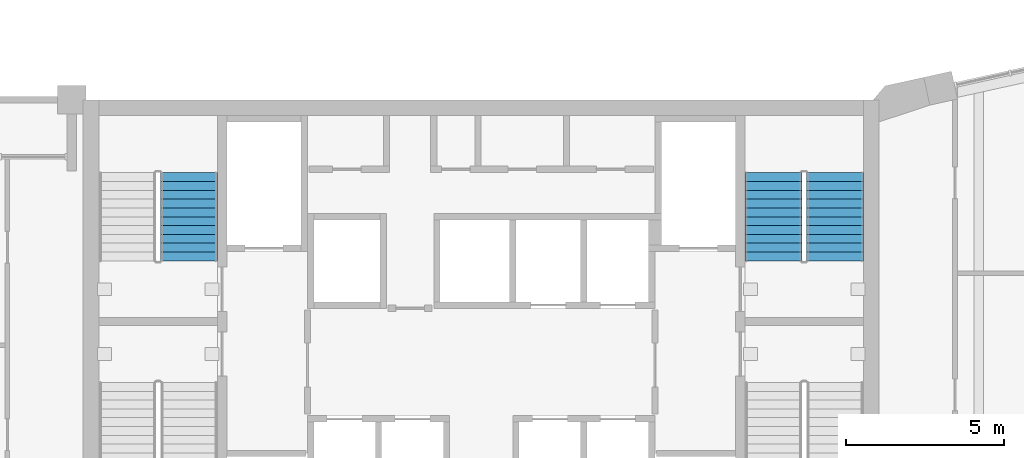
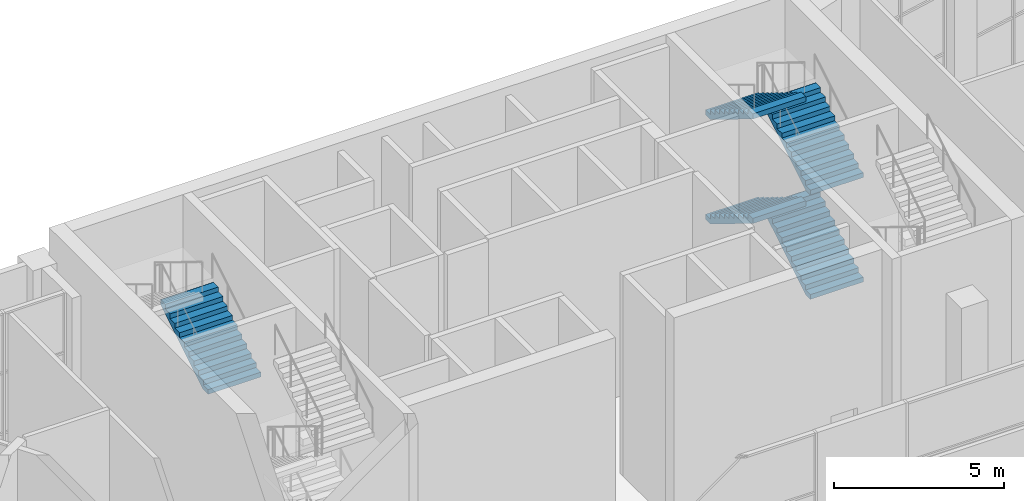
# One storey, part 12 of 14: 5 stair flights, 2 elements without a shape of their own.
"""IFC4 building model written with IfcOpenShell, lengths in metres."""

from ifc_helpers import new_model, si_unit, direction, frame, origin, place, context, subcontext, project, spatial, faceted_brep, source, transform, mapped, material, type_object, element, aggregate, save


model = new_model("IFC4")

# Units and contexts
model_context = context("Model", 3, precision=1e-05, world=origin(), true_north=direction((0.0, 1.0)))
body_context = subcontext(model_context, "Body", "Model", "MODEL_VIEW")
ifc_project = project(units=[si_unit("LENGTHUNIT", "METRE"), si_unit("AREAUNIT", "SQUARE_METRE"), si_unit("VOLUMEUNIT", "CUBIC_METRE"), si_unit("PLANEANGLEUNIT", "RADIAN"), si_unit("MASSUNIT", "GRAM", prefix="KILO")], contexts=[model_context])

# Site, building, storey
site_placement = place(None, origin())
site = spatial("IfcSite", under=ifc_project, at=site_placement, CompositionType="ELEMENT")
building_placement = place(site_placement, origin())
building = spatial("IfcBuilding", under=site, at=building_placement, Name="Calabash Gate Tower", CompositionType="ELEMENT")
storey_placement = place(building_placement, frame((0.0, 0.0, 295.0)))
storey = spatial("IfcBuildingStorey", under=building, at=storey_placement, Name="L71", CompositionType="ELEMENT", Elevation=295.0)

# Stair, stair flight
ifc_material_1 = material(Name="Concrete C40/50", Category="concrete")
stair_type = type_object("IfcStairType", Name="Exit stair 44 risers of 170.5 mm", PredefinedType="HALF_TURN_STAIR", material=ifc_material_1)
stair_1_placement = place(storey_placement, origin())
stair_1 = element("IfcStair", 1, at=stair_1_placement, inside=storey, type_object=stair_type, Name="L71 Exit stair ST1", PredefinedType="HALF_TURN_STAIR")
ifc_material_2 = material(Name="Concrete C40/50", Category="concrete")
stair_flight_type = type_object("IfcStairFlightType", Name="Exit stair flight SFL", PredefinedType="STRAIGHT", material=ifc_material_2)
shared_shape = source(origin(), body_context, "Body", "Brep", [
    faceted_brep([(-0.0009765625, -0.89990234375, 0.0), (0.28759765625, -0.89990234375, 0.0), (2.791015625, -0.89990234375, 1.52880859375), (-0.0009765625, 0.89990234375, 0.0), (2.791015625, 0.89990234375, 1.52880859375), (0.28759765625, 0.89990234375, 0.0), (2.791015625, -0.89990234375, 1.716552734375), (2.7900390625, -0.89990234375, 1.716552734375), (2.7900390625, 0.89990234375, 1.716552734375), (2.791015625, 0.89990234375, 1.716552734375), (2.7900390625, -0.89990234375, 1.70458984375), (2.7900390625, 0.89990234375, 1.70458984375), (2.510986328125, -0.89990234375, 1.70458984375), (2.510986328125, 0.89990234375, 1.70458984375), (2.510986328125, -0.89990234375, 1.5341796875), (2.510986328125, 0.89990234375, 1.5341796875), (2.23193359375, -0.89990234375, 1.5341796875), (2.23193359375, 0.89990234375, 1.5341796875), (2.23193359375, -0.89990234375, 1.363525390625), (2.23193359375, 0.89990234375, 1.363525390625), (1.952880859375, -0.89990234375, 1.363525390625), (1.952880859375, -0.89990234375, 1.193115234375), (1.952880859375, 0.89990234375, 1.193115234375), (1.952880859375, 0.89990234375, 1.363525390625), (1.674072265625, -0.89990234375, 1.193115234375), (1.674072265625, -0.89990234375, 1.022705078125), (1.674072265625, 0.89990234375, 1.022705078125), (1.674072265625, 0.89990234375, 1.193115234375), (1.39501953125, -0.89990234375, 1.022705078125), (1.39501953125, -0.89990234375, 0.852294921875), (1.39501953125, 0.89990234375, 0.852294921875), (1.39501953125, 0.89990234375, 1.022705078125), (1.115966796875, -0.89990234375, 0.852294921875), (1.115966796875, -0.89990234375, 0.681884765625), (1.115966796875, 0.89990234375, 0.681884765625), (1.115966796875, 0.89990234375, 0.852294921875), (0.8369140625, -0.89990234375, 0.681884765625), (0.8369140625, -0.89990234375, 0.511474609375), (0.8369140625, 0.89990234375, 0.511474609375), (0.8369140625, 0.89990234375, 0.681884765625), (0.55810546875, -0.89990234375, 0.511474609375), (0.55810546875, -0.89990234375, 0.3408203125), (0.55810546875, 0.89990234375, 0.3408203125), (0.55810546875, 0.89990234375, 0.511474609375), (0.279052734375, -0.89990234375, 0.3408203125), (0.279052734375, -0.89990234375, 0.17041015625), (0.279052734375, 0.89990234375, 0.17041015625), (0.279052734375, 0.89990234375, 0.3408203125), (-0.0009765625, -0.89990234375, 0.17041015625), (-0.0009765625, 0.89990234375, 0.17041015625), (0.28759765625, -0.360107421875, 0.0), (2.791015625, -0.360107421875, 1.52880859375), (0.28759765625, 0.0, 0.0), (2.791015625, 0.0, 1.52880859375), (0.28759765625, 0.360107421875, 0.0), (2.791015625, 0.360107421875, 1.52880859375), (2.791015625, -0.360107421875, 1.716552734375), (2.791015625, 0.0, 1.716552734375), (2.791015625, 0.360107421875, 1.716552734375), (2.7900390625, -0.360107421875, 1.716552734375), (2.7900390625, 0.0, 1.716552734375), (2.7900390625, 0.360107421875, 1.716552734375), (2.7900390625, -0.360107421875, 1.70458984375), (2.7900390625, 0.0, 1.70458984375), (2.7900390625, 0.360107421875, 1.70458984375), (2.510986328125, -0.360107421875, 1.70458984375), (2.510986328125, 0.0, 1.70458984375), (2.510986328125, 0.360107421875, 1.70458984375), (2.510986328125, -0.360107421875, 1.5341796875), (2.510986328125, 0.0, 1.5341796875), (2.510986328125, 0.360107421875, 1.5341796875), (2.23193359375, -0.360107421875, 1.5341796875), (2.23193359375, 0.0, 1.5341796875), (2.23193359375, 0.360107421875, 1.5341796875), (2.23193359375, -0.360107421875, 1.363525390625), (2.23193359375, 0.0, 1.363525390625), (2.23193359375, 0.360107421875, 1.363525390625), (1.952880859375, -0.360107421875, 1.363525390625), (1.952880859375, 0.0, 1.363525390625), (1.952880859375, 0.360107421875, 1.363525390625), (1.952880859375, -0.360107421875, 1.193115234375), (1.952880859375, 0.0, 1.193115234375), (1.952880859375, 0.360107421875, 1.193115234375), (1.674072265625, -0.360107421875, 1.193115234375), (1.674072265625, 0.0, 1.193115234375), (1.674072265625, 0.360107421875, 1.193115234375), (1.674072265625, -0.360107421875, 1.022705078125), (1.674072265625, 0.0, 1.022705078125), (1.674072265625, 0.360107421875, 1.022705078125), (1.39501953125, -0.360107421875, 1.022705078125), (1.39501953125, 0.0, 1.022705078125), (1.39501953125, 0.360107421875, 1.022705078125), (1.39501953125, -0.360107421875, 0.852294921875), (1.39501953125, 0.0, 0.852294921875), (1.39501953125, 0.360107421875, 0.852294921875), (1.115966796875, -0.360107421875, 0.852294921875), (1.115966796875, 0.0, 0.852294921875), (1.115966796875, 0.360107421875, 0.852294921875), (1.115966796875, -0.360107421875, 0.681884765625), (1.115966796875, 0.0, 0.681884765625), (1.115966796875, 0.360107421875, 0.681884765625), (0.8369140625, -0.360107421875, 0.681884765625), (0.8369140625, 0.0, 0.681884765625), (0.8369140625, 0.360107421875, 0.681884765625), (0.8369140625, -0.360107421875, 0.511474609375), (0.8369140625, 0.0, 0.511474609375), (0.8369140625, 0.360107421875, 0.511474609375), (0.55810546875, -0.360107421875, 0.511474609375), (0.55810546875, 0.0, 0.511474609375), (0.55810546875, 0.360107421875, 0.511474609375), (0.55810546875, -0.360107421875, 0.3408203125), (0.55810546875, 0.0, 0.3408203125), (0.55810546875, 0.360107421875, 0.3408203125), (0.279052734375, -0.360107421875, 0.3408203125), (0.279052734375, 0.0, 0.3408203125), (0.279052734375, 0.360107421875, 0.3408203125), (0.279052734375, -0.360107421875, 0.17041015625), (0.279052734375, 0.0, 0.17041015625), (0.279052734375, 0.360107421875, 0.17041015625), (-0.0009765625, -0.360107421875, 0.17041015625), (-0.0009765625, 0.0, 0.17041015625), (-0.0009765625, 0.360107421875, 0.17041015625), (-0.0009765625, -0.360107421875, 0.0), (-0.0009765625, 0.0, 0.0), (-0.0009765625, 0.360107421875, 0.0)], [[[0, 1, 2]], [[3, 4, 5]], [[2, 6, 7]], [[4, 8, 9]], [[2, 7, 10]], [[4, 11, 8]], [[2, 10, 12]], [[4, 13, 11]], [[2, 12, 14]], [[4, 15, 13]], [[2, 14, 16]], [[4, 17, 15]], [[2, 16, 18]], [[4, 19, 17]], [[18, 20, 21]], [[19, 22, 23]], [[2, 18, 21]], [[4, 22, 19]], [[21, 24, 25]], [[22, 26, 27]], [[2, 21, 25]], [[4, 26, 22]], [[25, 28, 29]], [[26, 30, 31]], [[2, 25, 29]], [[4, 30, 26]], [[29, 32, 33]], [[30, 34, 35]], [[2, 29, 33]], [[4, 34, 30]], [[33, 36, 37]], [[34, 38, 39]], [[2, 33, 37]], [[4, 38, 34]], [[37, 40, 41]], [[38, 42, 43]], [[2, 37, 41]], [[4, 42, 38]], [[41, 44, 45]], [[42, 46, 47]], [[2, 41, 45]], [[4, 46, 42]], [[0, 2, 45]], [[3, 46, 4]], [[45, 48, 0]], [[46, 3, 49]], [[1, 50, 2]], [[50, 51, 2]], [[50, 52, 51]], [[52, 53, 51]], [[52, 54, 55]], [[52, 55, 53]], [[54, 5, 4]], [[54, 4, 55]], [[2, 51, 6]], [[51, 56, 6]], [[51, 53, 56]], [[53, 57, 56]], [[53, 55, 58]], [[53, 58, 57]], [[55, 4, 9]], [[55, 9, 58]], [[6, 56, 7]], [[56, 59, 7]], [[56, 57, 59]], [[57, 60, 59]], [[57, 58, 61]], [[57, 61, 60]], [[58, 9, 8]], [[58, 8, 61]], [[7, 59, 10]], [[59, 62, 10]], [[59, 60, 62]], [[60, 63, 62]], [[60, 61, 64]], [[60, 64, 63]], [[61, 8, 11]], [[61, 11, 64]], [[10, 62, 12]], [[62, 65, 12]], [[62, 63, 65]], [[63, 66, 65]], [[63, 64, 67]], [[63, 67, 66]], [[64, 11, 13]], [[64, 13, 67]], [[12, 65, 14]], [[65, 68, 14]], [[65, 66, 68]], [[66, 69, 68]], [[66, 67, 70]], [[66, 70, 69]], [[67, 13, 15]], [[67, 15, 70]], [[14, 68, 16]], [[68, 71, 16]], [[68, 69, 71]], [[69, 72, 71]], [[69, 70, 73]], [[69, 73, 72]], [[70, 15, 17]], [[70, 17, 73]], [[16, 71, 18]], [[71, 74, 18]], [[71, 72, 74]], [[72, 75, 74]], [[72, 73, 76]], [[72, 76, 75]], [[73, 17, 19]], [[73, 19, 76]], [[18, 74, 20]], [[74, 77, 20]], [[74, 75, 77]], [[75, 78, 77]], [[75, 76, 79]], [[75, 79, 78]], [[76, 19, 23]], [[76, 23, 79]], [[20, 77, 21]], [[77, 80, 21]], [[77, 78, 80]], [[78, 81, 80]], [[78, 79, 82]], [[78, 82, 81]], [[79, 23, 22]], [[79, 22, 82]], [[21, 80, 24]], [[80, 83, 24]], [[80, 81, 83]], [[81, 84, 83]], [[81, 82, 85]], [[81, 85, 84]], [[82, 22, 27]], [[82, 27, 85]], [[24, 83, 25]], [[83, 86, 25]], [[83, 84, 86]], [[84, 87, 86]], [[84, 85, 88]], [[84, 88, 87]], [[85, 27, 26]], [[85, 26, 88]], [[25, 86, 28]], [[86, 89, 28]], [[86, 87, 89]], [[87, 90, 89]], [[87, 88, 91]], [[87, 91, 90]], [[88, 26, 31]], [[88, 31, 91]], [[28, 89, 29]], [[89, 92, 29]], [[89, 90, 92]], [[90, 93, 92]], [[90, 91, 94]], [[90, 94, 93]], [[91, 31, 30]], [[91, 30, 94]], [[29, 92, 32]], [[92, 95, 32]], [[92, 93, 95]], [[93, 96, 95]], [[93, 94, 97]], [[93, 97, 96]], [[94, 30, 35]], [[94, 35, 97]], [[32, 95, 33]], [[95, 98, 33]], [[95, 96, 98]], [[96, 99, 98]], [[96, 97, 100]], [[96, 100, 99]], [[97, 35, 34]], [[97, 34, 100]], [[33, 98, 36]], [[98, 101, 36]], [[98, 99, 101]], [[99, 102, 101]], [[99, 100, 103]], [[99, 103, 102]], [[100, 34, 39]], [[100, 39, 103]], [[36, 101, 37]], [[101, 104, 37]], [[101, 102, 104]], [[102, 105, 104]], [[102, 103, 106]], [[102, 106, 105]], [[103, 39, 38]], [[103, 38, 106]], [[37, 104, 40]], [[104, 107, 40]], [[104, 105, 107]], [[105, 108, 107]], [[105, 106, 109]], [[105, 109, 108]], [[106, 38, 43]], [[106, 43, 109]], [[40, 107, 41]], [[107, 110, 41]], [[107, 108, 110]], [[108, 111, 110]], [[108, 109, 112]], [[108, 112, 111]], [[109, 43, 42]], [[109, 42, 112]], [[41, 110, 44]], [[110, 113, 44]], [[110, 111, 113]], [[111, 114, 113]], [[111, 112, 115]], [[111, 115, 114]], [[112, 42, 47]], [[112, 47, 115]], [[44, 113, 45]], [[113, 116, 45]], [[113, 114, 116]], [[114, 117, 116]], [[114, 115, 118]], [[114, 118, 117]], [[115, 47, 46]], [[115, 46, 118]], [[45, 116, 48]], [[116, 119, 48]], [[116, 117, 119]], [[117, 120, 119]], [[117, 118, 121]], [[117, 121, 120]], [[118, 46, 49]], [[118, 49, 121]], [[48, 119, 0]], [[119, 122, 0]], [[119, 120, 122]], [[120, 123, 122]], [[120, 121, 124]], [[120, 124, 123]], [[121, 49, 3]], [[121, 3, 124]], [[0, 122, 1]], [[122, 50, 1]], [[122, 123, 50]], [[123, 52, 50]], [[123, 124, 54]], [[123, 54, 52]], [[124, 3, 5]], [[124, 5, 54]]]),
])
stair_flight_1_placement = place(storey_placement, frame((-9.25, 13.95263671875, 3.75), z_axis=(0.0, 0.0, 1.0), x_axis=(0.0, 1.0, 0.0)))
stair_flight_1 = element("IfcStairFlight", 2, at=stair_flight_1_placement, type_object=stair_flight_type, Name="ST1 flight 3", NumberOfRisers=11, NumberOfTreads=10, PredefinedType="STRAIGHT", RiserHeight=0.170454545, TreadLength=0.279, context=body_context, shape_type="MappedRepresentation", body=[
    mapped(shared_shape, transform((0.0, 0.0, 0.0), scale=1.0)),
])
aggregate(stair_1, [stair_flight_1])

# Stair, stair flights
stair_2_placement = place(storey_placement, origin())
stair_2 = element("IfcStair", 3, at=stair_2_placement, inside=storey, type_object=stair_type, Name="L71 Exit stair ST3", PredefinedType="HALF_TURN_STAIR")
stair_flight_2_placement = place(storey_placement, frame((11.199951171875, 13.95263671875, 0.0), z_axis=(0.0, 0.0, 1.0), x_axis=(0.0, 1.0, 0.0)))
stair_flight_2 = element("IfcStairFlight", 4, at=stair_flight_2_placement, type_object=stair_flight_type, Name="ST3 flight 1", NumberOfRisers=11, NumberOfTreads=10, PredefinedType="STRAIGHT", RiserHeight=0.170454545, TreadLength=0.279, context=body_context, shape_type="MappedRepresentation", body=[
    mapped(shared_shape, transform((0.0, 0.0, 0.0), scale=1.0)),
])
stair_flight_3_placement = place(storey_placement, frame((9.25, 16.74267578125, 1.875), z_axis=(0.0, 0.0, 1.0), x_axis=(0.0, -1.0, 0.0)))
stair_flight_3 = element("IfcStairFlight", 5, at=stair_flight_3_placement, type_object=stair_flight_type, Name="ST3 flight 2", NumberOfRisers=11, NumberOfTreads=10, PredefinedType="STRAIGHT", RiserHeight=0.170454545, TreadLength=0.279, context=body_context, shape_type="MappedRepresentation", body=[
    mapped(shared_shape, transform((0.0, 0.0, 0.0), scale=1.0)),
])
stair_flight_4_placement = place(storey_placement, frame((11.199951171875, 13.95263671875, 3.75), z_axis=(0.0, 0.0, 1.0), x_axis=(0.0, 1.0, 0.0)))
stair_flight_4 = element("IfcStairFlight", 6, at=stair_flight_4_placement, type_object=stair_flight_type, Name="ST3 flight 3", NumberOfRisers=11, NumberOfTreads=10, PredefinedType="STRAIGHT", RiserHeight=0.170454545, TreadLength=0.279, context=body_context, shape_type="MappedRepresentation", body=[
    mapped(shared_shape, transform((0.0, 0.0, 0.0), scale=1.0)),
])
stair_flight_5_placement = place(storey_placement, frame((9.25, 16.74267578125, 5.625), z_axis=(0.0, 0.0, 1.0), x_axis=(0.0, -1.0, 0.0)))
stair_flight_5 = element("IfcStairFlight", 7, at=stair_flight_5_placement, type_object=stair_flight_type, Name="ST3 flight 4", NumberOfRisers=11, NumberOfTreads=10, PredefinedType="STRAIGHT", RiserHeight=0.170454545, TreadLength=0.279, context=body_context, shape_type="MappedRepresentation", body=[
    mapped(shared_shape, transform((0.0, 0.0, 0.0), scale=1.0)),
])
aggregate(stair_2, [stair_flight_2, stair_flight_3, stair_flight_4, stair_flight_5])

save(model, "model.ifc")
